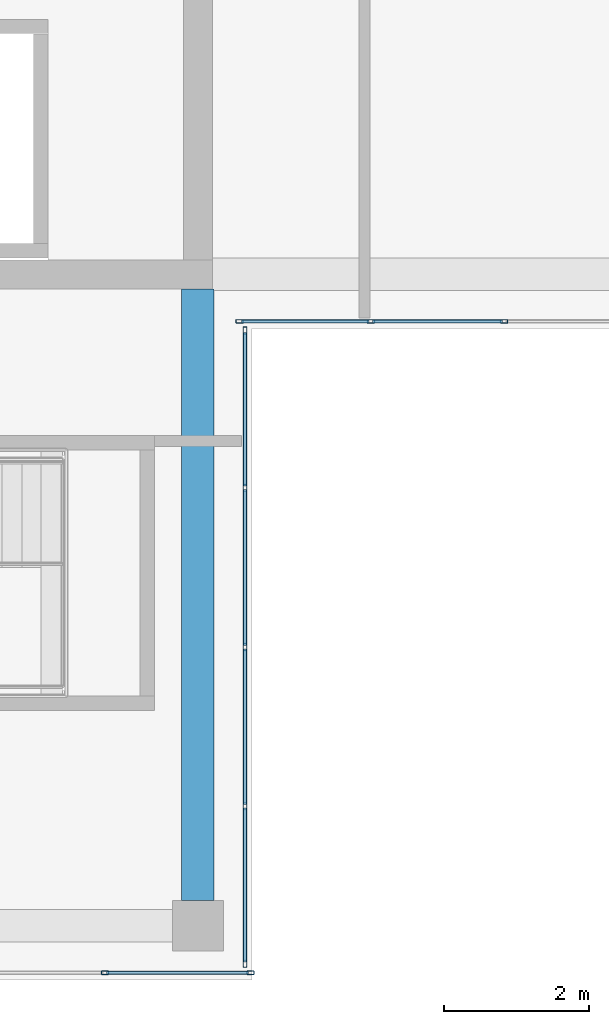
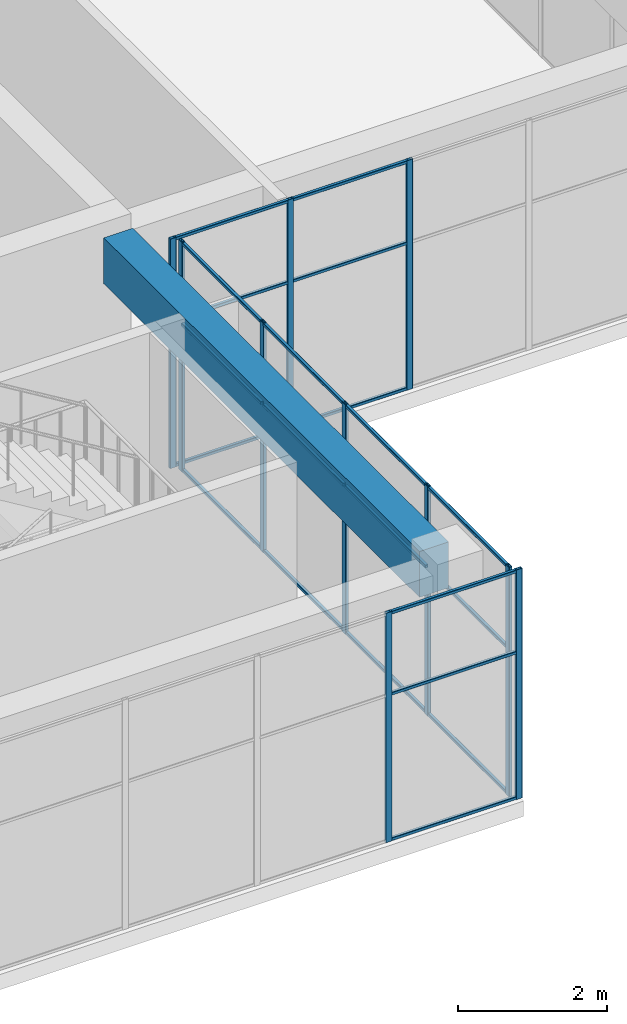
# One storey, part 20 of 43: 31 members, 1 beam, 3 elements without a shape of their own.
"""IFC4 building model written with IfcOpenShell, lengths in metres."""

from ifc_helpers import new_model, si_unit, direction, frame, origin, origin_2d, place, context, subcontext, project, spatial, rectangle, hollow_rectangle, extrude, material, layer, layer_set, material_profile, profile_set, type_object, element, aggregate, save


model = new_model("IFC4")

# Units and contexts
model_context = context("Model", 3, precision=1e-05, world=origin(), true_north=direction((0.0, 1.0)))
body_context = subcontext(model_context, "Body", "Model", "MODEL_VIEW")
ifc_project = project(units=[si_unit("LENGTHUNIT", "METRE"), si_unit("AREAUNIT", "SQUARE_METRE"), si_unit("VOLUMEUNIT", "CUBIC_METRE"), si_unit("PLANEANGLEUNIT", "RADIAN"), si_unit("MASSUNIT", "GRAM", prefix="KILO")], contexts=[model_context])

# Site, building, storey
site_placement = place(None, origin())
site = spatial("IfcSite", under=ifc_project, at=site_placement, CompositionType="ELEMENT")
building_placement = place(site_placement, origin())
building = spatial("IfcBuilding", under=site, at=building_placement, Name="Tuart Plaza Theatre", CompositionType="ELEMENT")
storey_placement = place(building_placement, frame((0.0, 0.0, 33.5)))
storey = spatial("IfcBuildingStorey", under=building, at=storey_placement, Name="L08", CompositionType="ELEMENT", Elevation=33.5)

# Beam
ifc_material_1 = material(Name="Concrete N40 (40 MPa)", Category="concrete")
ifc_material_profile_1 = material_profile(ifc_material_1, rectangle(XDim=0.449951171875, YDim=0.75, at=origin_2d()), Name="BEAM 450x750 Concrete N40 (40 MPa)")
ifc_profile_set_1 = profile_set([ifc_material_profile_1], Name="Concrete N40 (40 MPa)")
beam_type = type_object("IfcBeamType", Name="BEAM 450x750 Concrete N40 (40 MPa)", PredefinedType="BEAM", material=ifc_profile_set_1)
beam_placement = place(storey_placement, frame((141.0, 56.35009765625, 3.375), z_axis=(0.0, 1.0, 0.0), x_axis=(-1.0, 0.0, 0.0)))
element("IfcBeam", 1, at=beam_placement, inside=storey, type_object=beam_type, Name="RB272", PredefinedType="BEAM", context=body_context, shape_type="SweptSolid", body=[
    extrude(rectangle(XDim=0.449951171875, YDim=0.75, at=origin_2d()), origin(), (0.0, 0.0, 1.0), 8.449951171875),
])

# Curtain wall, members
ifc_material_2 = material(Name="Aluminium and glass", Category="aluminium")
ifc_layer = layer(ifc_material_2, 0.10009765625)
ifc_layer_set = layer_set([ifc_layer], Name="CURTAIN WALL 2000 module")
curtain_wall_type = type_object("IfcCurtainWallType", Name="CURTAIN WALL 2000 module", PredefinedType="NOTDEFINED", material=ifc_layer_set)
curtain_wall_1_placement = place(storey_placement, origin())
curtain_wall_1 = element("IfcCurtainWall", 2, at=curtain_wall_1_placement, inside=storey, type_object=curtain_wall_type, Name="CW88", PredefinedType="NOTDEFINED")
ifc_material_3 = material(Name="Aluminium 6063-T5", Category="aluminium")
ifc_material_profile_2 = material_profile(ifc_material_3, hollow_rectangle(XDim=0.050048828125, YDim=0.10009765625, WallThickness=0.00390625, InnerFilletRadius=0.00390625, OuterFilletRadius=0.008056640625, at=origin_2d()), Name="RHS 100x50x4")
ifc_profile_set_2 = profile_set([ifc_material_profile_2], Name="Aluminium 6063-T5")
member_type_1 = type_object("IfcMemberType", Name="MULLION RHS 100x50x4", PredefinedType="MULLION", material=ifc_profile_set_2)
member_1_placement = place(storey_placement, frame((139.71435546875, 55.35009765625, 0.0), z_axis=(0.0, 0.0, 1.0), x_axis=(0.0, 1.0, 0.0)))
member_1 = element("IfcMember", 3, at=member_1_placement, type_object=member_type_1, Name="CW88 mullion 14", PredefinedType="MULLION", context=body_context, shape_type="SweptSolid", body=[
    extrude(hollow_rectangle(XDim=0.050048828125, YDim=0.10009765625, WallThickness=0.00390625, InnerFilletRadius=0.00390625, OuterFilletRadius=0.008056640625, at=origin_2d()), origin(), (0.0, 0.0, 1.0), 3.75),
])
member_2_placement = place(storey_placement, frame((141.72509765625, 55.35009765625, 0.0), z_axis=(0.0, 0.0, 1.0), x_axis=(0.0, 1.0, 0.0)))
member_2 = element("IfcMember", 4, at=member_2_placement, type_object=member_type_1, Name="CW88 mullion 15", PredefinedType="MULLION", context=body_context, shape_type="SweptSolid", body=[
    extrude(hollow_rectangle(XDim=0.050048828125, YDim=0.10009765625, WallThickness=0.00390625, InnerFilletRadius=0.00390625, OuterFilletRadius=0.008056640625, at=origin_2d()), origin(), (0.0, 0.0, 1.0), 3.75),
])

curtain_wall_2_placement = place(storey_placement, origin())
curtain_wall_2 = element("IfcCurtainWall", 5, at=curtain_wall_2_placement, inside=storey, type_object=curtain_wall_type, Name="CW90", PredefinedType="NOTDEFINED")
member_3_placement = place(storey_placement, frame((141.64990234375, 55.47509765625, 0.0), z_axis=(0.0, 0.0, 1.0), x_axis=(-1.0, 0.0, 0.0)))
member_3 = element("IfcMember", 6, at=member_3_placement, type_object=member_type_1, Name="CW90 mullion 1", PredefinedType="MULLION", context=body_context, shape_type="SweptSolid", body=[
    extrude(hollow_rectangle(XDim=0.050048828125, YDim=0.10009765625, WallThickness=0.00390625, InnerFilletRadius=0.00390625, OuterFilletRadius=0.008056640625, at=origin_2d()), origin(), (0.0, 0.0, 1.0), 3.75),
])
member_4_placement = place(storey_placement, frame((141.64990234375, 57.64990234375, 0.0), z_axis=(0.0, 0.0, 1.0), x_axis=(-1.0, 0.0, 0.0)))
member_4 = element("IfcMember", 7, at=member_4_placement, type_object=member_type_1, Name="CW90 mullion 2", PredefinedType="MULLION", context=body_context, shape_type="SweptSolid", body=[
    extrude(hollow_rectangle(XDim=0.050048828125, YDim=0.10009765625, WallThickness=0.00390625, InnerFilletRadius=0.00390625, OuterFilletRadius=0.008056640625, at=origin_2d()), origin(), (0.0, 0.0, 1.0), 3.75),
])
member_5_placement = place(storey_placement, frame((141.64990234375, 59.85009765625, 0.0), z_axis=(0.0, 0.0, 1.0), x_axis=(-1.0, 0.0, 0.0)))
member_5 = element("IfcMember", 8, at=member_5_placement, type_object=member_type_1, Name="CW90 mullion 3", PredefinedType="MULLION", context=body_context, shape_type="SweptSolid", body=[
    extrude(hollow_rectangle(XDim=0.050048828125, YDim=0.10009765625, WallThickness=0.00390625, InnerFilletRadius=0.00390625, OuterFilletRadius=0.008056640625, at=origin_2d()), origin(), (0.0, 0.0, 1.0), 3.75),
])
member_6_placement = place(storey_placement, frame((141.64990234375, 62.050048828125, 0.0), z_axis=(0.0, 0.0, 1.0), x_axis=(-1.0, 0.0, 0.0)))
member_6 = element("IfcMember", 9, at=member_6_placement, type_object=member_type_1, Name="CW90 mullion 4", PredefinedType="MULLION", context=body_context, shape_type="SweptSolid", body=[
    extrude(hollow_rectangle(XDim=0.050048828125, YDim=0.10009765625, WallThickness=0.00390625, InnerFilletRadius=0.00390625, OuterFilletRadius=0.008056640625, at=origin_2d()), origin(), (0.0, 0.0, 1.0), 3.75),
])
member_7_placement = place(storey_placement, frame((141.64990234375, 64.22509765625, 0.0), z_axis=(0.0, 0.0, 1.0), x_axis=(-1.0, 0.0, 0.0)))
member_7 = element("IfcMember", 10, at=member_7_placement, type_object=member_type_1, Name="CW90 mullion 5", PredefinedType="MULLION", context=body_context, shape_type="SweptSolid", body=[
    extrude(hollow_rectangle(XDim=0.050048828125, YDim=0.10009765625, WallThickness=0.00390625, InnerFilletRadius=0.00390625, OuterFilletRadius=0.008056640625, at=origin_2d()), origin(), (0.0, 0.0, 1.0), 3.75),
])

curtain_wall_3_placement = place(storey_placement, origin())
curtain_wall_3 = element("IfcCurtainWall", 11, at=curtain_wall_3_placement, inside=storey, type_object=curtain_wall_type, Name="CW91", PredefinedType="NOTDEFINED")
member_8_placement = place(storey_placement, frame((141.574951171875, 64.35009765625, 0.0), z_axis=(0.0, 0.0, 1.0), x_axis=(0.0, 1.0, 0.0)))
member_8 = element("IfcMember", 12, at=member_8_placement, type_object=member_type_1, Name="CW91 mullion 1", PredefinedType="MULLION", context=body_context, shape_type="SweptSolid", body=[
    extrude(hollow_rectangle(XDim=0.050048828125, YDim=0.10009765625, WallThickness=0.00390625, InnerFilletRadius=0.00390625, OuterFilletRadius=0.008056640625, at=origin_2d()), origin(), (0.0, 0.0, 1.0), 3.75),
])
member_9_placement = place(storey_placement, frame((143.389892578125, 64.35009765625, 0.0), z_axis=(0.0, 0.0, 1.0), x_axis=(0.0, 1.0, 0.0)))
member_9 = element("IfcMember", 13, at=member_9_placement, type_object=member_type_1, Name="CW91 mullion 2", PredefinedType="MULLION", context=body_context, shape_type="SweptSolid", body=[
    extrude(hollow_rectangle(XDim=0.050048828125, YDim=0.10009765625, WallThickness=0.00390625, InnerFilletRadius=0.00390625, OuterFilletRadius=0.008056640625, at=origin_2d()), origin(), (0.0, 0.0, 1.0), 3.75),
])
member_10_placement = place(storey_placement, frame((145.22998046875, 64.35009765625, 0.0), z_axis=(0.0, 0.0, 1.0), x_axis=(0.0, 1.0, 0.0)))
member_10 = element("IfcMember", 14, at=member_10_placement, type_object=member_type_1, Name="CW91 mullion 3", PredefinedType="MULLION", context=body_context, shape_type="SweptSolid", body=[
    extrude(hollow_rectangle(XDim=0.050048828125, YDim=0.10009765625, WallThickness=0.00390625, InnerFilletRadius=0.00390625, OuterFilletRadius=0.008056640625, at=origin_2d()), origin(), (0.0, 0.0, 1.0), 3.75),
])

# Member
ifc_material_4 = material(Name="Aluminium 6063-T5", Category="aluminium")
ifc_material_profile_3 = material_profile(ifc_material_4, hollow_rectangle(XDim=0.050048828125, YDim=0.050048828125, WallThickness=0.00390625, InnerFilletRadius=0.00390625, OuterFilletRadius=0.008056640625, at=origin_2d()), Name="RHS 50x50x4")
ifc_profile_set_3 = profile_set([ifc_material_profile_3], Name="Aluminium 6063-T5")
member_type_2 = type_object("IfcMemberType", Name="TRANSOM RHS 50x50x4", PredefinedType="USERDEFINED", material=ifc_profile_set_3)
member_11_placement = place(storey_placement, frame((139.7392578125, 55.35009765625, 0.02490234375), z_axis=(1.0, 0.0, 0.0), x_axis=(0.0, 1.0, 0.0)))
member_11 = element("IfcMember", 15, at=member_11_placement, type_object=member_type_2, Name="CW88 transom 14.1", ObjectType="TRANSOM", PredefinedType="USERDEFINED", context=body_context, shape_type="SweptSolid", body=[
    extrude(hollow_rectangle(XDim=0.050048828125, YDim=0.050048828125, WallThickness=0.00390625, InnerFilletRadius=0.00390625, OuterFilletRadius=0.008056640625, at=origin_2d()), origin(), (0.0, 0.0, 1.0), 1.960693359375),
])

member_12_placement = place(storey_placement, frame((139.7392578125, 55.35009765625, 2.39990234375), z_axis=(1.0, 0.0, 0.0), x_axis=(0.0, 1.0, 0.0)))
member_12 = element("IfcMember", 16, at=member_12_placement, type_object=member_type_2, Name="CW88 transom 14.2", ObjectType="TRANSOM", PredefinedType="USERDEFINED", context=body_context, shape_type="SweptSolid", body=[
    extrude(hollow_rectangle(XDim=0.050048828125, YDim=0.050048828125, WallThickness=0.00390625, InnerFilletRadius=0.00390625, OuterFilletRadius=0.008056640625, at=origin_2d()), origin(), (0.0, 0.0, 1.0), 1.960693359375),
])

member_13_placement = place(storey_placement, frame((139.7392578125, 55.35009765625, 3.72509765625), z_axis=(1.0, 0.0, 0.0), x_axis=(0.0, 1.0, 0.0)))
member_13 = element("IfcMember", 17, at=member_13_placement, type_object=member_type_2, Name="CW88 transom 14.3", ObjectType="TRANSOM", PredefinedType="USERDEFINED", context=body_context, shape_type="SweptSolid", body=[
    extrude(hollow_rectangle(XDim=0.050048828125, YDim=0.050048828125, WallThickness=0.00390625, InnerFilletRadius=0.00390625, OuterFilletRadius=0.008056640625, at=origin_2d()), origin(), (0.0, 0.0, 1.0), 1.960693359375),
])

aggregate(curtain_wall_1, [member_1, member_2, member_11, member_12, member_13])

member_14_placement = place(storey_placement, frame((141.64990234375, 55.5, 0.02490234375), z_axis=(0.0, 1.0, 0.0), x_axis=(-1.0, 0.0, 0.0)))
member_14 = element("IfcMember", 18, at=member_14_placement, type_object=member_type_2, Name="CW90 transom 1.1", ObjectType="TRANSOM", PredefinedType="USERDEFINED", context=body_context, shape_type="SweptSolid", body=[
    extrude(hollow_rectangle(XDim=0.050048828125, YDim=0.050048828125, WallThickness=0.00390625, InnerFilletRadius=0.00390625, OuterFilletRadius=0.008056640625, at=origin_2d()), origin(), (0.0, 0.0, 1.0), 2.125),
])

member_15_placement = place(storey_placement, frame((141.64990234375, 55.5, 2.39990234375), z_axis=(0.0, 1.0, 0.0), x_axis=(-1.0, 0.0, 0.0)))
member_15 = element("IfcMember", 19, at=member_15_placement, type_object=member_type_2, Name="CW90 transom 1.2", ObjectType="TRANSOM", PredefinedType="USERDEFINED", context=body_context, shape_type="SweptSolid", body=[
    extrude(hollow_rectangle(XDim=0.050048828125, YDim=0.050048828125, WallThickness=0.00390625, InnerFilletRadius=0.00390625, OuterFilletRadius=0.008056640625, at=origin_2d()), origin(), (0.0, 0.0, 1.0), 2.125),
])

member_16_placement = place(storey_placement, frame((141.64990234375, 55.5, 3.72509765625), z_axis=(0.0, 1.0, 0.0), x_axis=(-1.0, 0.0, 0.0)))
member_16 = element("IfcMember", 20, at=member_16_placement, type_object=member_type_2, Name="CW90 transom 1.3", ObjectType="TRANSOM", PredefinedType="USERDEFINED", context=body_context, shape_type="SweptSolid", body=[
    extrude(hollow_rectangle(XDim=0.050048828125, YDim=0.050048828125, WallThickness=0.00390625, InnerFilletRadius=0.00390625, OuterFilletRadius=0.008056640625, at=origin_2d()), origin(), (0.0, 0.0, 1.0), 2.125),
])

member_17_placement = place(storey_placement, frame((141.64990234375, 57.675048828125, 0.02490234375), z_axis=(0.0, 1.0, 0.0), x_axis=(-1.0, 0.0, 0.0)))
member_17 = element("IfcMember", 21, at=member_17_placement, type_object=member_type_2, Name="CW90 transom 2.1", ObjectType="TRANSOM", PredefinedType="USERDEFINED", context=body_context, shape_type="SweptSolid", body=[
    extrude(hollow_rectangle(XDim=0.050048828125, YDim=0.050048828125, WallThickness=0.00390625, InnerFilletRadius=0.00390625, OuterFilletRadius=0.008056640625, at=origin_2d()), origin(), (0.0, 0.0, 1.0), 2.14990234375),
])

member_18_placement = place(storey_placement, frame((141.64990234375, 57.675048828125, 2.39990234375), z_axis=(0.0, 1.0, 0.0), x_axis=(-1.0, 0.0, 0.0)))
member_18 = element("IfcMember", 22, at=member_18_placement, type_object=member_type_2, Name="CW90 transom 2.2", ObjectType="TRANSOM", PredefinedType="USERDEFINED", context=body_context, shape_type="SweptSolid", body=[
    extrude(hollow_rectangle(XDim=0.050048828125, YDim=0.050048828125, WallThickness=0.00390625, InnerFilletRadius=0.00390625, OuterFilletRadius=0.008056640625, at=origin_2d()), origin(), (0.0, 0.0, 1.0), 2.14990234375),
])

member_19_placement = place(storey_placement, frame((141.64990234375, 57.675048828125, 3.72509765625), z_axis=(0.0, 1.0, 0.0), x_axis=(-1.0, 0.0, 0.0)))
member_19 = element("IfcMember", 23, at=member_19_placement, type_object=member_type_2, Name="CW90 transom 2.3", ObjectType="TRANSOM", PredefinedType="USERDEFINED", context=body_context, shape_type="SweptSolid", body=[
    extrude(hollow_rectangle(XDim=0.050048828125, YDim=0.050048828125, WallThickness=0.00390625, InnerFilletRadius=0.00390625, OuterFilletRadius=0.008056640625, at=origin_2d()), origin(), (0.0, 0.0, 1.0), 2.14990234375),
])

member_20_placement = place(storey_placement, frame((141.64990234375, 59.875, 0.02490234375), z_axis=(0.0, 1.0, 0.0), x_axis=(-1.0, 0.0, 0.0)))
member_20 = element("IfcMember", 24, at=member_20_placement, type_object=member_type_2, Name="CW90 transom 3.1", ObjectType="TRANSOM", PredefinedType="USERDEFINED", context=body_context, shape_type="SweptSolid", body=[
    extrude(hollow_rectangle(XDim=0.050048828125, YDim=0.050048828125, WallThickness=0.00390625, InnerFilletRadius=0.00390625, OuterFilletRadius=0.008056640625, at=origin_2d()), origin(), (0.0, 0.0, 1.0), 2.14990234375),
])

member_21_placement = place(storey_placement, frame((141.64990234375, 59.875, 2.39990234375), z_axis=(0.0, 1.0, 0.0), x_axis=(-1.0, 0.0, 0.0)))
member_21 = element("IfcMember", 25, at=member_21_placement, type_object=member_type_2, Name="CW90 transom 3.2", ObjectType="TRANSOM", PredefinedType="USERDEFINED", context=body_context, shape_type="SweptSolid", body=[
    extrude(hollow_rectangle(XDim=0.050048828125, YDim=0.050048828125, WallThickness=0.00390625, InnerFilletRadius=0.00390625, OuterFilletRadius=0.008056640625, at=origin_2d()), origin(), (0.0, 0.0, 1.0), 2.14990234375),
])

member_22_placement = place(storey_placement, frame((141.64990234375, 59.875, 3.72509765625), z_axis=(0.0, 1.0, 0.0), x_axis=(-1.0, 0.0, 0.0)))
member_22 = element("IfcMember", 26, at=member_22_placement, type_object=member_type_2, Name="CW90 transom 3.3", ObjectType="TRANSOM", PredefinedType="USERDEFINED", context=body_context, shape_type="SweptSolid", body=[
    extrude(hollow_rectangle(XDim=0.050048828125, YDim=0.050048828125, WallThickness=0.00390625, InnerFilletRadius=0.00390625, OuterFilletRadius=0.008056640625, at=origin_2d()), origin(), (0.0, 0.0, 1.0), 2.14990234375),
])

member_23_placement = place(storey_placement, frame((141.64990234375, 62.074951171875, 0.02490234375), z_axis=(0.0, 1.0, 0.0), x_axis=(-1.0, 0.0, 0.0)))
member_23 = element("IfcMember", 27, at=member_23_placement, type_object=member_type_2, Name="CW90 transom 4.1", ObjectType="TRANSOM", PredefinedType="USERDEFINED", context=body_context, shape_type="SweptSolid", body=[
    extrude(hollow_rectangle(XDim=0.050048828125, YDim=0.050048828125, WallThickness=0.00390625, InnerFilletRadius=0.00390625, OuterFilletRadius=0.008056640625, at=origin_2d()), origin(), (0.0, 0.0, 1.0), 2.125),
])

member_24_placement = place(storey_placement, frame((141.64990234375, 62.074951171875, 2.39990234375), z_axis=(0.0, 1.0, 0.0), x_axis=(-1.0, 0.0, 0.0)))
member_24 = element("IfcMember", 28, at=member_24_placement, type_object=member_type_2, Name="CW90 transom 4.2", ObjectType="TRANSOM", PredefinedType="USERDEFINED", context=body_context, shape_type="SweptSolid", body=[
    extrude(hollow_rectangle(XDim=0.050048828125, YDim=0.050048828125, WallThickness=0.00390625, InnerFilletRadius=0.00390625, OuterFilletRadius=0.008056640625, at=origin_2d()), origin(), (0.0, 0.0, 1.0), 2.125),
])

member_25_placement = place(storey_placement, frame((141.64990234375, 62.074951171875, 3.72509765625), z_axis=(0.0, 1.0, 0.0), x_axis=(-1.0, 0.0, 0.0)))
member_25 = element("IfcMember", 29, at=member_25_placement, type_object=member_type_2, Name="CW90 transom 4.3", ObjectType="TRANSOM", PredefinedType="USERDEFINED", context=body_context, shape_type="SweptSolid", body=[
    extrude(hollow_rectangle(XDim=0.050048828125, YDim=0.050048828125, WallThickness=0.00390625, InnerFilletRadius=0.00390625, OuterFilletRadius=0.008056640625, at=origin_2d()), origin(), (0.0, 0.0, 1.0), 2.125),
])

aggregate(curtain_wall_2, [member_3, member_4, member_5, member_6, member_7, member_14, member_15, member_16, member_17, member_18, member_19, member_20, member_21, member_22, member_23, member_24, member_25])

member_26_placement = place(storey_placement, frame((141.60009765625, 64.35009765625, 0.02490234375), z_axis=(1.0, 0.0, 0.0), x_axis=(0.0, 1.0, 0.0)))
member_26 = element("IfcMember", 30, at=member_26_placement, type_object=member_type_2, Name="CW91 transom 1.1", ObjectType="TRANSOM", PredefinedType="USERDEFINED", context=body_context, shape_type="SweptSolid", body=[
    extrude(hollow_rectangle(XDim=0.050048828125, YDim=0.050048828125, WallThickness=0.00390625, InnerFilletRadius=0.00390625, OuterFilletRadius=0.008056640625, at=origin_2d()), origin(), (0.0, 0.0, 1.0), 1.764892578125),
])

member_27_placement = place(storey_placement, frame((141.60009765625, 64.35009765625, 2.39990234375), z_axis=(1.0, 0.0, 0.0), x_axis=(0.0, 1.0, 0.0)))
member_27 = element("IfcMember", 31, at=member_27_placement, type_object=member_type_2, Name="CW91 transom 1.2", ObjectType="TRANSOM", PredefinedType="USERDEFINED", context=body_context, shape_type="SweptSolid", body=[
    extrude(hollow_rectangle(XDim=0.050048828125, YDim=0.050048828125, WallThickness=0.00390625, InnerFilletRadius=0.00390625, OuterFilletRadius=0.008056640625, at=origin_2d()), origin(), (0.0, 0.0, 1.0), 1.764892578125),
])

member_28_placement = place(storey_placement, frame((141.60009765625, 64.35009765625, 3.72509765625), z_axis=(1.0, 0.0, 0.0), x_axis=(0.0, 1.0, 0.0)))
member_28 = element("IfcMember", 32, at=member_28_placement, type_object=member_type_2, Name="CW91 transom 1.3", ObjectType="TRANSOM", PredefinedType="USERDEFINED", context=body_context, shape_type="SweptSolid", body=[
    extrude(hollow_rectangle(XDim=0.050048828125, YDim=0.050048828125, WallThickness=0.00390625, InnerFilletRadius=0.00390625, OuterFilletRadius=0.008056640625, at=origin_2d()), origin(), (0.0, 0.0, 1.0), 1.764892578125),
])

member_29_placement = place(storey_placement, frame((143.4150390625, 64.35009765625, 0.02490234375), z_axis=(1.0, 0.0, 0.0), x_axis=(0.0, 1.0, 0.0)))
member_29 = element("IfcMember", 33, at=member_29_placement, type_object=member_type_2, Name="CW91 transom 2.1", ObjectType="TRANSOM", PredefinedType="USERDEFINED", context=body_context, shape_type="SweptSolid", body=[
    extrude(hollow_rectangle(XDim=0.050048828125, YDim=0.050048828125, WallThickness=0.00390625, InnerFilletRadius=0.00390625, OuterFilletRadius=0.008056640625, at=origin_2d()), origin(), (0.0, 0.0, 1.0), 1.7900390625),
])

member_30_placement = place(storey_placement, frame((143.4150390625, 64.35009765625, 2.39990234375), z_axis=(1.0, 0.0, 0.0), x_axis=(0.0, 1.0, 0.0)))
member_30 = element("IfcMember", 34, at=member_30_placement, type_object=member_type_2, Name="CW91 transom 2.2", ObjectType="TRANSOM", PredefinedType="USERDEFINED", context=body_context, shape_type="SweptSolid", body=[
    extrude(hollow_rectangle(XDim=0.050048828125, YDim=0.050048828125, WallThickness=0.00390625, InnerFilletRadius=0.00390625, OuterFilletRadius=0.008056640625, at=origin_2d()), origin(), (0.0, 0.0, 1.0), 1.7900390625),
])

member_31_placement = place(storey_placement, frame((143.4150390625, 64.35009765625, 3.72509765625), z_axis=(1.0, 0.0, 0.0), x_axis=(0.0, 1.0, 0.0)))
member_31 = element("IfcMember", 35, at=member_31_placement, type_object=member_type_2, Name="CW91 transom 2.3", ObjectType="TRANSOM", PredefinedType="USERDEFINED", context=body_context, shape_type="SweptSolid", body=[
    extrude(hollow_rectangle(XDim=0.050048828125, YDim=0.050048828125, WallThickness=0.00390625, InnerFilletRadius=0.00390625, OuterFilletRadius=0.008056640625, at=origin_2d()), origin(), (0.0, 0.0, 1.0), 1.7900390625),
])

aggregate(curtain_wall_3, [member_8, member_9, member_10, member_26, member_27, member_28, member_29, member_30, member_31])

save(model, "model.ifc")
